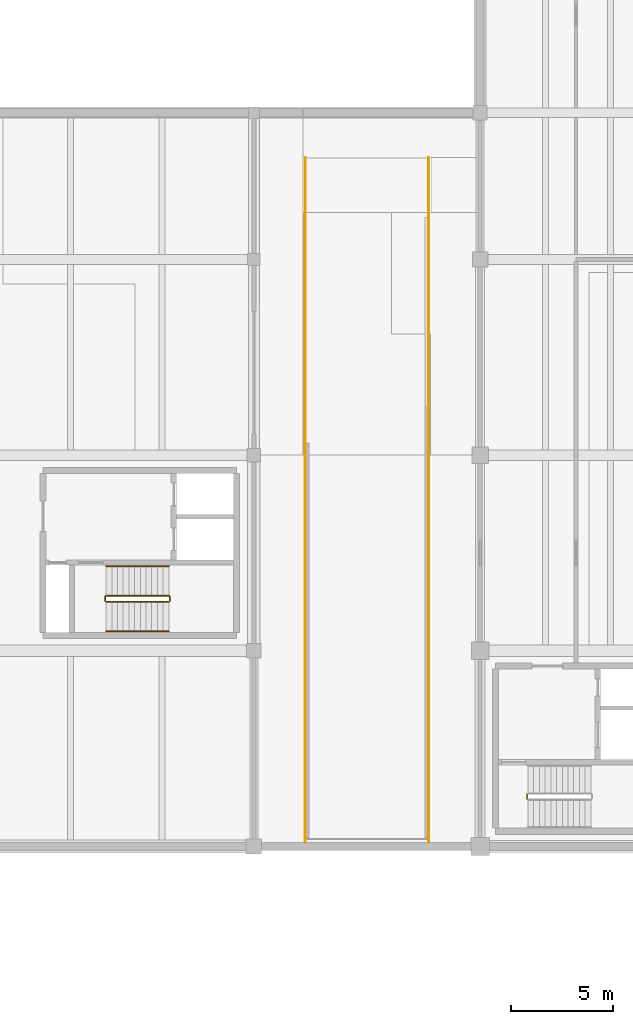
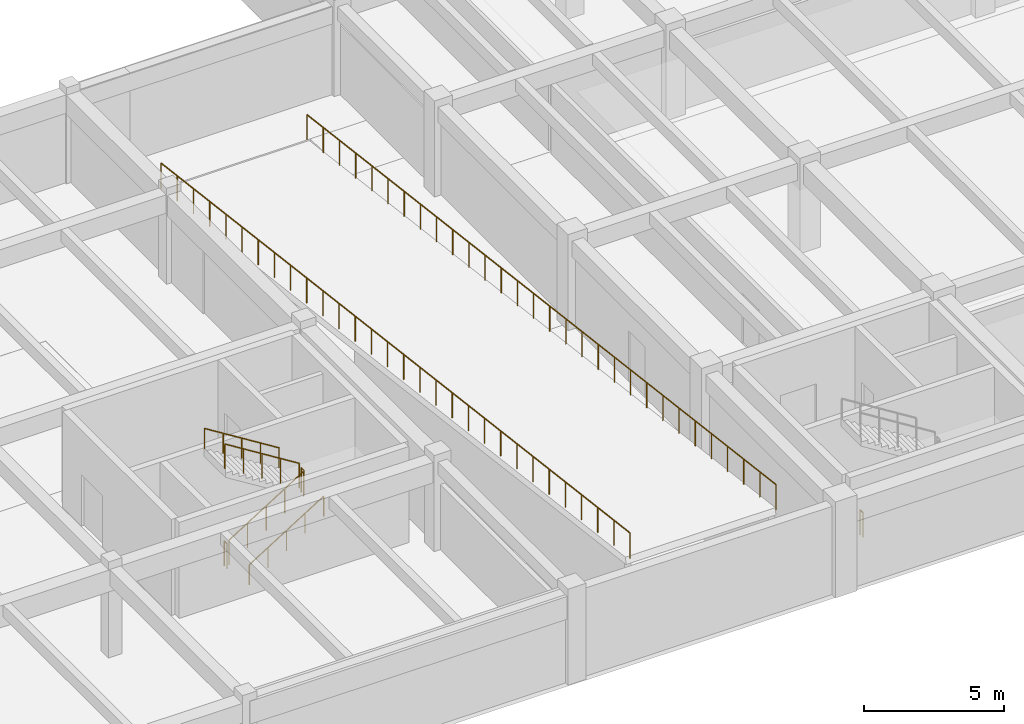
# One storey, part 24 of 28: 9 railings.
"""IFC4 building model written with IfcOpenShell, lengths in metres."""

from ifc_helpers import new_model, si_unit, direction, frame, origin, origin_2d, place, context, subcontext, project, spatial, circle, extrude, material, type_object, element, save


model = new_model("IFC4")

# Units and contexts
model_context = context("Model", 3, precision=1e-05, world=origin(), true_north=direction((0.0, 1.0)))
body_context = subcontext(model_context, "Body", "Model", "MODEL_VIEW")
ifc_project = project(units=[si_unit("LENGTHUNIT", "METRE"), si_unit("AREAUNIT", "SQUARE_METRE"), si_unit("VOLUMEUNIT", "CUBIC_METRE"), si_unit("PLANEANGLEUNIT", "RADIAN"), si_unit("MASSUNIT", "GRAM", prefix="KILO")], contexts=[model_context])

# Site, building, storey
site_placement = place(None, origin())
site = spatial("IfcSite", under=ifc_project, at=site_placement, CompositionType="ELEMENT")
building_placement = place(site_placement, origin())
building = spatial("IfcBuilding", under=site, at=building_placement, Name="Fikremerkos Civic Library", CompositionType="ELEMENT")
storey_placement = place(building_placement, frame((0.0, 0.0, -4.199951171875)))
storey = spatial("IfcBuildingStorey", under=building, at=storey_placement, Name="B01", CompositionType="ELEMENT", Elevation=-4.199951171875)

# Railings
ifc_material_1 = material(Name="Painted Steel S275", Category="steel")
railing_type_1 = type_object("IfcRailingType", Name="Interior balustrade guard RLG-INT 1100", PredefinedType="BALUSTRADE", material=ifc_material_1)
railing_1_placement = place(storey_placement, frame((106.449951171875, 24.0, 0.175048828125)))
element("IfcRailing", 1, at=railing_1_placement, inside=storey, type_object=railing_type_1, Name="B01 ST-K2 stair guard 1", PredefinedType="BALUSTRADE", context=body_context, shape_type="SweptSolid", body=[
    extrude(circle(Radius=0.02392578125, at=origin_2d()), frame((0.0, 0.0, 1.076171875), z_axis=(0.848028513186, 0.0, 0.529950602248), x_axis=(0.0, 1.0, 0.0)), (0.0, 0.0, 1.0), 3.632080078125),
    extrude(circle(Radius=0.02099609375, at=origin_2d()), origin(), (0.0, 0.0, 1.0), 1.052001953125),
    extrude(circle(Radius=0.02099609375, at=origin_2d()), frame((0.77001953125, 0.0, 0.481201171875)), (0.0, 0.0, 1.0), 1.052001953125),
    extrude(circle(Radius=0.02099609375, at=origin_2d()), frame((1.5400390625, 0.0, 0.96240234375)), (0.0, 0.0, 1.0), 1.052001953125),
    extrude(circle(Radius=0.02099609375, at=origin_2d()), frame((2.31005859375, 0.0, 1.443603515625)), (0.0, 0.0, 1.0), 1.052001953125),
    extrude(circle(Radius=0.02099609375, at=origin_2d()), frame((3.080078125, 0.0, 1.9248046875)), (0.0, 0.0, 1.0), 1.052001953125),
])
railing_2_placement = place(storey_placement, frame((109.580078125, 24.050048828125, 2.099853515625)))
element("IfcRailing", 2, at=railing_2_placement, inside=storey, type_object=railing_type_1, Name="B01 ST-K2 stair guard 2", PredefinedType="BALUSTRADE", context=body_context, shape_type="SweptSolid", body=[
    extrude(circle(Radius=0.02392578125, at=origin_2d()), frame((0.0, 0.0, 1.076171875), z_axis=(0.0, 1.0, 0.0), x_axis=(-1.0, 0.0, 0.0)), (0.0, 0.0, 1.0), 0.199951171875),
    extrude(circle(Radius=0.02099609375, at=origin_2d()), origin(), (0.0, 0.0, 1.0), 1.052001953125),
    extrude(circle(Radius=0.02099609375, at=origin_2d()), frame((0.0, 0.199951171875, 0.0)), (0.0, 0.0, 1.0), 1.052001953125),
])
railing_3_placement = place(storey_placement, frame((109.530029296875, 24.300048828125, 2.27490234375)))
element("IfcRailing", 3, at=railing_3_placement, inside=storey, type_object=railing_type_1, Name="B01 ST-K2 stair guard 3", PredefinedType="BALUSTRADE", context=body_context, shape_type="SweptSolid", body=[
    extrude(circle(Radius=0.02392578125, at=origin_2d()), frame((0.0, 0.0, 1.076171875), z_axis=(-0.847998304005, 0.0, 0.529998940003), x_axis=(0.0, -1.0, 0.0)), (0.0, 0.0, 1.0), 3.632080078125),
    extrude(circle(Radius=0.02099609375, at=origin_2d()), origin(), (0.0, 0.0, 1.0), 1.052001953125),
    extrude(circle(Radius=0.02099609375, at=origin_2d()), frame((-0.77001953125, 0.0, 0.481201171875)), (0.0, 0.0, 1.0), 1.052001953125),
    extrude(circle(Radius=0.02099609375, at=origin_2d()), frame((-1.5400390625, 0.0, 0.96240234375)), (0.0, 0.0, 1.0), 1.052001953125),
    extrude(circle(Radius=0.02099609375, at=origin_2d()), frame((-2.31005859375, 0.0, 1.44384765625)), (0.0, 0.0, 1.0), 1.052001953125),
    extrude(circle(Radius=0.02099609375, at=origin_2d()), frame((-3.080078125, 0.0, 1.925048828125)), (0.0, 0.0, 1.0), 1.052001953125),
])
for number, where, name in (
    (4, (106.39990234375, 24.050048828125, 0.0), "B01 ST-K2 stair guard 4"),
    (5, (127.10009765625, 14.35009765625, 0.0), "B01 ST-K4 stair guard 4"),
):
    element("IfcRailing", number, at=place(storey_placement, frame(where)), inside=storey, type_object=railing_type_1, Name=name, PredefinedType="BALUSTRADE", context=body_context, shape_type="SweptSolid", body=[
        extrude(circle(Radius=0.02392578125, at=origin_2d()), frame((0.0, 0.0, 1.076171875), z_axis=(0.0, 1.0, 0.0), x_axis=(-1.0, 0.0, 0.0)), (0.0, 0.0, 1.0), 0.199951171875),
        extrude(circle(Radius=0.02099609375, at=origin_2d()), origin(), (0.0, 0.0, 1.0), 1.052001953125),
        extrude(circle(Radius=0.02099609375, at=origin_2d()), frame((0.0, 0.199951171875, 0.0)), (0.0, 0.0, 1.0), 1.052001953125),
    ])
railing_4_placement = place(storey_placement, frame((116.22998046875, 45.800048828125, 0.0)))
element("IfcRailing", 6, at=railing_4_placement, inside=storey, type_object=railing_type_1, Name="Car park vehicle ramp side guard W", PredefinedType="BALUSTRADE", context=body_context, shape_type="SweptSolid", body=[
    extrude(circle(Radius=0.02392578125, at=origin_2d()), frame((0.0, 0.0, 1.09619140625), z_axis=(0.0, -0.992278098557, 0.124032959829), x_axis=(1.0, 0.0, 0.0)), (0.0, 0.0, 1.0), 33.861572265625),
    extrude(circle(Radius=0.02099609375, at=origin_2d()), origin(), (0.0, 0.0, 1.0), 1.072021484375),
    extrude(circle(Radius=0.02099609375, at=origin_2d()), frame((0.0, -1.15869140625, 0.144775390625)), (0.0, 0.0, 1.0), 1.072021484375),
    extrude(circle(Radius=0.02099609375, at=origin_2d()), frame((0.0, -2.317138671875, 0.28955078125)), (0.0, 0.0, 1.0), 1.072021484375),
    extrude(circle(Radius=0.02099609375, at=origin_2d()), frame((0.0, -3.475830078125, 0.4345703125)), (0.0, 0.0, 1.0), 1.072021484375),
    extrude(circle(Radius=0.02099609375, at=origin_2d()), frame((0.0, -4.634521484375, 0.579345703125)), (0.0, 0.0, 1.0), 1.072021484375),
    extrude(circle(Radius=0.02099609375, at=origin_2d()), frame((0.0, -5.793212890625, 0.72412109375)), (0.0, 0.0, 1.0), 1.072021484375),
    extrude(circle(Radius=0.02099609375, at=origin_2d()), frame((0.0, -6.95166015625, 0.868896484375)), (0.0, 0.0, 1.0), 1.072021484375),
    extrude(circle(Radius=0.02099609375, at=origin_2d()), frame((0.0, -8.1103515625, 1.013671875)), (0.0, 0.0, 1.0), 1.072021484375),
    extrude(circle(Radius=0.02099609375, at=origin_2d()), frame((0.0, -9.26904296875, 1.15869140625)), (0.0, 0.0, 1.0), 1.072021484375),
    extrude(circle(Radius=0.02099609375, at=origin_2d()), frame((0.0, -10.427734375, 1.303466796875)), (0.0, 0.0, 1.0), 1.072021484375),
    extrude(circle(Radius=0.02099609375, at=origin_2d()), frame((0.0, -11.586181640625, 1.4482421875)), (0.0, 0.0, 1.0), 1.072021484375),
    extrude(circle(Radius=0.02099609375, at=origin_2d()), frame((0.0, -12.744873046875, 1.593017578125)), (0.0, 0.0, 1.0), 1.072021484375),
    extrude(circle(Radius=0.02099609375, at=origin_2d()), frame((0.0, -13.903564453125, 1.73779296875)), (0.0, 0.0, 1.0), 1.072021484375),
    extrude(circle(Radius=0.02099609375, at=origin_2d()), frame((0.0, -15.06201171875, 1.8828125)), (0.0, 0.0, 1.0), 1.072021484375),
    extrude(circle(Radius=0.02099609375, at=origin_2d()), frame((0.0, -16.220703125, 2.027587890625)), (0.0, 0.0, 1.0), 1.072021484375),
    extrude(circle(Radius=0.02099609375, at=origin_2d()), frame((0.0, -17.37939453125, 2.17236328125)), (0.0, 0.0, 1.0), 1.072021484375),
    extrude(circle(Radius=0.02099609375, at=origin_2d()), frame((0.0, -18.5380859375, 2.317138671875)), (0.0, 0.0, 1.0), 1.072021484375),
    extrude(circle(Radius=0.02099609375, at=origin_2d()), frame((0.0, -19.696533203125, 2.462158203125)), (0.0, 0.0, 1.0), 1.072021484375),
    extrude(circle(Radius=0.02099609375, at=origin_2d()), frame((0.0, -20.855224609375, 2.60693359375)), (0.0, 0.0, 1.0), 1.072021484375),
    extrude(circle(Radius=0.02099609375, at=origin_2d()), frame((0.0, -22.013916015625, 2.751708984375)), (0.0, 0.0, 1.0), 1.072021484375),
    extrude(circle(Radius=0.02099609375, at=origin_2d()), frame((0.0, -23.17236328125, 2.896484375)), (0.0, 0.0, 1.0), 1.072021484375),
    extrude(circle(Radius=0.02099609375, at=origin_2d()), frame((0.0, -24.3310546875, 3.041259765625)), (0.0, 0.0, 1.0), 1.072021484375),
    extrude(circle(Radius=0.02099609375, at=origin_2d()), frame((0.0, -25.48974609375, 3.186279296875)), (0.0, 0.0, 1.0), 1.072021484375),
    extrude(circle(Radius=0.02099609375, at=origin_2d()), frame((0.0, -26.6484375, 3.3310546875)), (0.0, 0.0, 1.0), 1.072021484375),
    extrude(circle(Radius=0.02099609375, at=origin_2d()), frame((0.0, -27.806884765625, 3.475830078125)), (0.0, 0.0, 1.0), 1.072021484375),
    extrude(circle(Radius=0.02099609375, at=origin_2d()), frame((0.0, -28.965576171875, 3.62060546875)), (0.0, 0.0, 1.0), 1.072021484375),
    extrude(circle(Radius=0.02099609375, at=origin_2d()), frame((0.0, -30.124267578125, 3.765380859375)), (0.0, 0.0, 1.0), 1.072021484375),
    extrude(circle(Radius=0.02099609375, at=origin_2d()), frame((0.0, -31.282958984375, 3.910400390625)), (0.0, 0.0, 1.0), 1.072021484375),
    extrude(circle(Radius=0.02099609375, at=origin_2d()), frame((0.0, -32.44140625, 4.05517578125)), (0.0, 0.0, 1.0), 1.072021484375),
    extrude(circle(Radius=0.02099609375, at=origin_2d()), frame((0.0, -33.60009765625, 4.199951171875)), (0.0, 0.0, 1.0), 1.072021484375),
])
railing_5_placement = place(storey_placement, frame((122.27001953125, 45.800048828125, 0.0)))
element("IfcRailing", 7, at=railing_5_placement, inside=storey, type_object=railing_type_1, Name="Car park vehicle ramp side guard E", PredefinedType="BALUSTRADE", context=body_context, shape_type="SweptSolid", body=[
    extrude(circle(Radius=0.02392578125, at=origin_2d()), frame((0.0, 0.0, 1.09619140625), z_axis=(0.0, -0.992278098557, 0.124032959829), x_axis=(1.0, 0.0, 0.0)), (0.0, 0.0, 1.0), 33.861572265625),
    extrude(circle(Radius=0.02099609375, at=origin_2d()), origin(), (0.0, 0.0, 1.0), 1.072021484375),
    extrude(circle(Radius=0.02099609375, at=origin_2d()), frame((0.0, -1.15869140625, 0.144775390625)), (0.0, 0.0, 1.0), 1.072021484375),
    extrude(circle(Radius=0.02099609375, at=origin_2d()), frame((0.0, -2.317138671875, 0.28955078125)), (0.0, 0.0, 1.0), 1.072021484375),
    extrude(circle(Radius=0.02099609375, at=origin_2d()), frame((0.0, -3.475830078125, 0.4345703125)), (0.0, 0.0, 1.0), 1.072021484375),
    extrude(circle(Radius=0.02099609375, at=origin_2d()), frame((0.0, -4.634521484375, 0.579345703125)), (0.0, 0.0, 1.0), 1.072021484375),
    extrude(circle(Radius=0.02099609375, at=origin_2d()), frame((0.0, -5.793212890625, 0.72412109375)), (0.0, 0.0, 1.0), 1.072021484375),
    extrude(circle(Radius=0.02099609375, at=origin_2d()), frame((0.0, -6.95166015625, 0.868896484375)), (0.0, 0.0, 1.0), 1.072021484375),
    extrude(circle(Radius=0.02099609375, at=origin_2d()), frame((0.0, -8.1103515625, 1.013671875)), (0.0, 0.0, 1.0), 1.072021484375),
    extrude(circle(Radius=0.02099609375, at=origin_2d()), frame((0.0, -9.26904296875, 1.15869140625)), (0.0, 0.0, 1.0), 1.072021484375),
    extrude(circle(Radius=0.02099609375, at=origin_2d()), frame((0.0, -10.427734375, 1.303466796875)), (0.0, 0.0, 1.0), 1.072021484375),
    extrude(circle(Radius=0.02099609375, at=origin_2d()), frame((0.0, -11.586181640625, 1.4482421875)), (0.0, 0.0, 1.0), 1.072021484375),
    extrude(circle(Radius=0.02099609375, at=origin_2d()), frame((0.0, -12.744873046875, 1.593017578125)), (0.0, 0.0, 1.0), 1.072021484375),
    extrude(circle(Radius=0.02099609375, at=origin_2d()), frame((0.0, -13.903564453125, 1.73779296875)), (0.0, 0.0, 1.0), 1.072021484375),
    extrude(circle(Radius=0.02099609375, at=origin_2d()), frame((0.0, -15.06201171875, 1.8828125)), (0.0, 0.0, 1.0), 1.072021484375),
    extrude(circle(Radius=0.02099609375, at=origin_2d()), frame((0.0, -16.220703125, 2.027587890625)), (0.0, 0.0, 1.0), 1.072021484375),
    extrude(circle(Radius=0.02099609375, at=origin_2d()), frame((0.0, -17.37939453125, 2.17236328125)), (0.0, 0.0, 1.0), 1.072021484375),
    extrude(circle(Radius=0.02099609375, at=origin_2d()), frame((0.0, -18.5380859375, 2.317138671875)), (0.0, 0.0, 1.0), 1.072021484375),
    extrude(circle(Radius=0.02099609375, at=origin_2d()), frame((0.0, -19.696533203125, 2.462158203125)), (0.0, 0.0, 1.0), 1.072021484375),
    extrude(circle(Radius=0.02099609375, at=origin_2d()), frame((0.0, -20.855224609375, 2.60693359375)), (0.0, 0.0, 1.0), 1.072021484375),
    extrude(circle(Radius=0.02099609375, at=origin_2d()), frame((0.0, -22.013916015625, 2.751708984375)), (0.0, 0.0, 1.0), 1.072021484375),
    extrude(circle(Radius=0.02099609375, at=origin_2d()), frame((0.0, -23.17236328125, 2.896484375)), (0.0, 0.0, 1.0), 1.072021484375),
    extrude(circle(Radius=0.02099609375, at=origin_2d()), frame((0.0, -24.3310546875, 3.041259765625)), (0.0, 0.0, 1.0), 1.072021484375),
    extrude(circle(Radius=0.02099609375, at=origin_2d()), frame((0.0, -25.48974609375, 3.186279296875)), (0.0, 0.0, 1.0), 1.072021484375),
    extrude(circle(Radius=0.02099609375, at=origin_2d()), frame((0.0, -26.6484375, 3.3310546875)), (0.0, 0.0, 1.0), 1.072021484375),
    extrude(circle(Radius=0.02099609375, at=origin_2d()), frame((0.0, -27.806884765625, 3.475830078125)), (0.0, 0.0, 1.0), 1.072021484375),
    extrude(circle(Radius=0.02099609375, at=origin_2d()), frame((0.0, -28.965576171875, 3.62060546875)), (0.0, 0.0, 1.0), 1.072021484375),
    extrude(circle(Radius=0.02099609375, at=origin_2d()), frame((0.0, -30.124267578125, 3.765380859375)), (0.0, 0.0, 1.0), 1.072021484375),
    extrude(circle(Radius=0.02099609375, at=origin_2d()), frame((0.0, -31.282958984375, 3.910400390625)), (0.0, 0.0, 1.0), 1.072021484375),
    extrude(circle(Radius=0.02099609375, at=origin_2d()), frame((0.0, -32.44140625, 4.05517578125)), (0.0, 0.0, 1.0), 1.072021484375),
    extrude(circle(Radius=0.02099609375, at=origin_2d()), frame((0.0, -33.60009765625, 4.199951171875)), (0.0, 0.0, 1.0), 1.072021484375),
])
ifc_material_2 = material(Name="Brushed stainless steel", Category="steel")
railing_type_2 = type_object("IfcRailingType", Name="Wall and flight handrail HRL-01 900", PredefinedType="HANDRAIL", material=ifc_material_2)
railing_6_placement = place(storey_placement, frame((106.449951171875, 22.550048828125, 0.175048828125)))
element("IfcRailing", 8, at=railing_6_placement, inside=storey, type_object=railing_type_2, Name="B01 ST-K2 stair handrail 1", PredefinedType="HANDRAIL", context=body_context, shape_type="SweptSolid", body=[
    extrude(circle(Radius=0.02392578125, at=origin_2d()), frame((0.0, 0.0, 0.8759765625), z_axis=(0.848028513186, 0.0, 0.529950602248), x_axis=(0.0, 1.0, 0.0)), (0.0, 0.0, 1.0), 3.632080078125),
    extrude(circle(Radius=0.02099609375, at=origin_2d()), origin(), (0.0, 0.0, 1.0), 0.851806640625),
    extrude(circle(Radius=0.02099609375, at=origin_2d()), frame((0.77001953125, 0.0, 0.481201171875)), (0.0, 0.0, 1.0), 0.851806640625),
    extrude(circle(Radius=0.02099609375, at=origin_2d()), frame((1.5400390625, 0.0, 0.96240234375)), (0.0, 0.0, 1.0), 0.851806640625),
    extrude(circle(Radius=0.02099609375, at=origin_2d()), frame((2.31005859375, 0.0, 1.443603515625)), (0.0, 0.0, 1.0), 0.851806640625),
    extrude(circle(Radius=0.02099609375, at=origin_2d()), frame((3.080078125, 0.0, 1.9248046875)), (0.0, 0.0, 1.0), 0.851806640625),
])
railing_7_placement = place(storey_placement, frame((109.530029296875, 25.75, 2.27490234375)))
element("IfcRailing", 9, at=railing_7_placement, inside=storey, type_object=railing_type_2, Name="B01 ST-K2 stair handrail 2", PredefinedType="HANDRAIL", context=body_context, shape_type="SweptSolid", body=[
    extrude(circle(Radius=0.02392578125, at=origin_2d()), frame((0.0, 0.0, 0.8759765625), z_axis=(-0.847998304005, 0.0, 0.529998940003), x_axis=(0.0, -1.0, 0.0)), (0.0, 0.0, 1.0), 3.632080078125),
    extrude(circle(Radius=0.02099609375, at=origin_2d()), origin(), (0.0, 0.0, 1.0), 0.851806640625),
    extrude(circle(Radius=0.02099609375, at=origin_2d()), frame((-0.77001953125, 0.0, 0.481201171875)), (0.0, 0.0, 1.0), 0.851806640625),
    extrude(circle(Radius=0.02099609375, at=origin_2d()), frame((-1.5400390625, 0.0, 0.96240234375)), (0.0, 0.0, 1.0), 0.851806640625),
    extrude(circle(Radius=0.02099609375, at=origin_2d()), frame((-2.31005859375, 0.0, 1.44384765625)), (0.0, 0.0, 1.0), 0.851806640625),
    extrude(circle(Radius=0.02099609375, at=origin_2d()), frame((-3.080078125, 0.0, 1.925048828125)), (0.0, 0.0, 1.0), 0.851806640625),
])

save(model, "model.ifc")
